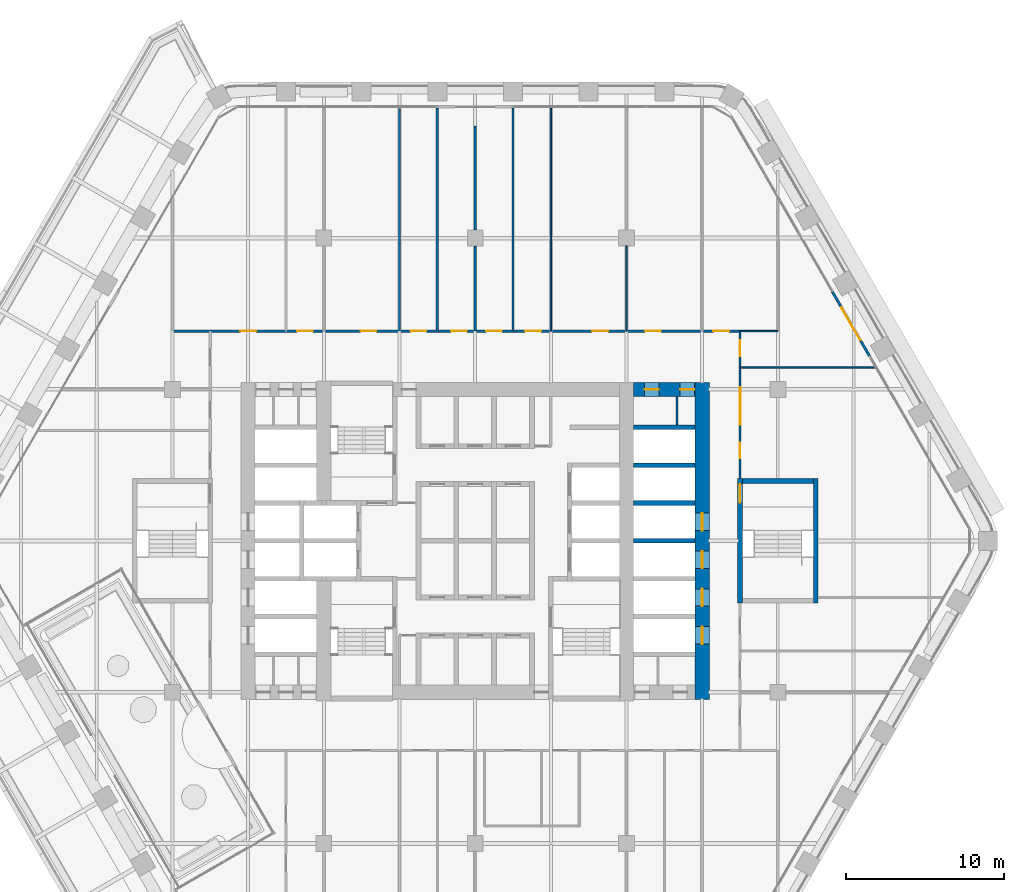
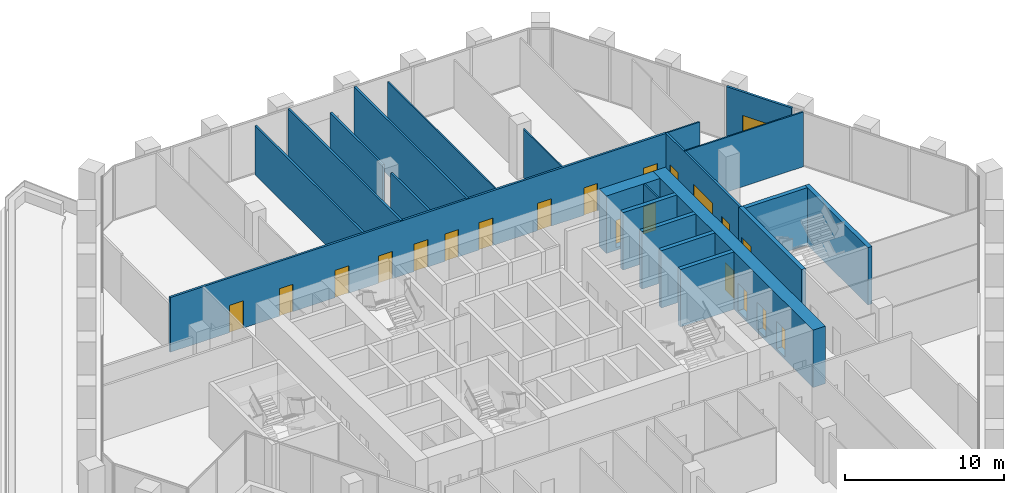
# One storey, part 19 of 27: 22 walls, 20 doors, 1 window, 21 openings.
"""IFC4 building model written with IfcOpenShell, lengths in metres."""

from ifc_helpers import new_model, si_unit, direction, frame, frame_2d, origin, place, context, subcontext, project, spatial, rectangle, extrude, material, layer, layer_set, type_object, element, fill, save


model = new_model("IFC4")

# Units and contexts
model_context = context("Model", 3, precision=1e-05, world=origin(), true_north=direction((0.0, 1.0)))
body_context = subcontext(model_context, "Body", "Model", "MODEL_VIEW")
ifc_project = project(units=[si_unit("LENGTHUNIT", "METRE"), si_unit("AREAUNIT", "SQUARE_METRE"), si_unit("VOLUMEUNIT", "CUBIC_METRE"), si_unit("PLANEANGLEUNIT", "RADIAN"), si_unit("MASSUNIT", "GRAM", prefix="KILO")], contexts=[model_context])

# Site, building, storey
site_placement = place(None, origin())
site = spatial("IfcSite", under=ifc_project, at=site_placement, CompositionType="ELEMENT")
building_placement = place(site_placement, origin())
building = spatial("IfcBuilding", under=site, at=building_placement, Name="Kolab Exchange Tower", CompositionType="ELEMENT")
storey_placement = place(building_placement, frame((0.0, 0.0, 122.89990234375)))
storey = spatial("IfcBuildingStorey", under=building, at=storey_placement, Name="L24", CompositionType="ELEMENT", Elevation=122.89990234375)

# Wall, openings, doors
ifc_material_1 = material(Name="Concrete C70/85", Category="concrete")
ifc_layer_1 = layer(ifc_material_1, 0.89990234375)
ifc_layer_set_1 = layer_set([ifc_layer_1], Name="Concrete C70/85")
wall_type_1 = type_object("IfcWallType", Name="CORE WALL 900 C70/85", PredefinedType="SHEAR", material=ifc_layer_set_1)
wall_1_placement = place(storey_placement, frame((10.050048828125, 9.60009765625, -0.199951171875), z_axis=(0.0, 0.0, 1.0), x_axis=(1.0, 0.0, 0.0)))
wall_1 = element("IfcWall", 1, at=wall_1_placement, inside=storey, type_object=wall_type_1, Name="wall/L24/core/053", PredefinedType="SHEAR", context=body_context, shape_type="SweptSolid", body=[
    extrude(rectangle(XDim=3.89990234375, YDim=0.89990234375, at=frame_2d((1.949951171875, 0.0))), origin(), (0.0, 0.0, 1.0), 4.400146484375),
])
opening_1_placement = place(wall_1_placement, frame((0.699951171875, 0.0, 0.199951171875)))
opening_1 = element("IfcOpeningElement", 2, at=opening_1_placement, cuts=wall_1, Name="Opening D6-259", PredefinedType="OPENING", context=body_context, shape_type="SweptSolid", body=[
    extrude(rectangle(XDim=0.89990234375, YDim=2.10009765625, at=frame_2d((0.449951171875, 1.050048828125))), frame((0.0, 0.4599609375, 0.0), z_axis=(0.0, -1.0, 0.0), x_axis=(1.0, 0.0, 0.0)), (0.0, 0.0, 1.0), 0.919921875),
])
opening_2_placement = place(wall_1_placement, frame((2.949951171875, 0.0, 0.199951171875)))
opening_2 = element("IfcOpeningElement", 3, at=opening_2_placement, cuts=wall_1, Name="Opening D6-260", PredefinedType="OPENING", context=body_context, shape_type="SweptSolid", body=[
    extrude(rectangle(XDim=0.89990234375, YDim=2.10009765625, at=frame_2d((0.449951171875, 1.050048828125))), frame((0.0, 0.4599609375, 0.0), z_axis=(0.0, -1.0, 0.0), x_axis=(1.0, 0.0, 0.0)), (0.0, 0.0, 1.0), 0.919921875),
])
ifc_material_2 = material(Name="Steel S235", Category="steel")
door_type_1 = type_object("IfcDoorType", Name="CORE DOOR 900 EI 120", OperationType="SINGLE_SWING_LEFT", PredefinedType="DOOR", material=ifc_material_2)
door_1_placement = place(opening_1_placement, frame((0.89990234375, 0.0, 0.0), z_axis=(0.0, 0.0, 1.0), x_axis=(-1.0, 0.0, 0.0)))
door_1 = element("IfcDoor", 4, at=door_1_placement, inside=storey, type_object=door_type_1, Name="Service room door", OperationType="SINGLE_SWING_RIGHT", OverallHeight=2.10009765625, OverallWidth=0.89990234375, PredefinedType="DOOR", context=body_context, shape_type="SweptSolid", body=[
    extrude(rectangle(XDim=0.89990234375, YDim=2.10009765625, at=frame_2d((0.449951171875, 1.050048828125))), frame((0.0, 0.02490234375, 0.0), z_axis=(0.0, -1.0, 0.0), x_axis=(1.0, 0.0, 0.0)), (0.0, 0.0, 1.0), 0.050048828125),
])
fill(opening_1, door_1)
door_2_placement = place(opening_2_placement, frame((0.89990234375, 0.0, 0.0), z_axis=(0.0, 0.0, 1.0), x_axis=(-1.0, 0.0, 0.0)))
door_2 = element("IfcDoor", 5, at=door_2_placement, inside=storey, type_object=door_type_1, Name="Service room door", OperationType="SINGLE_SWING_LEFT", OverallHeight=2.10009765625, OverallWidth=0.89990234375, PredefinedType="DOOR", context=body_context, shape_type="SweptSolid", body=[
    extrude(rectangle(XDim=0.89990234375, YDim=2.10009765625, at=frame_2d((0.449951171875, 1.050048828125))), frame((0.0, 0.02490234375, 0.0), z_axis=(0.0, -1.0, 0.0), x_axis=(1.0, 0.0, 0.0)), (0.0, 0.0, 1.0), 0.050048828125),
])
fill(opening_2, door_2)

wall_2_placement = place(storey_placement, frame((14.39990234375, -10.050048828125, -0.199951171875), z_axis=(0.0, 0.0, 1.0), x_axis=(0.0, 1.0, 0.0)))
wall_2 = element("IfcWall", 6, at=wall_2_placement, inside=storey, type_object=wall_type_1, Name="wall/L24/core/081", PredefinedType="SHEAR", context=body_context, shape_type="SweptSolid", body=[
    extrude(rectangle(XDim=20.10009765625, YDim=0.89990234375, at=frame_2d((10.050048828125, 0.0))), origin(), (0.0, 0.0, 1.0), 4.400146484375),
])
opening_3_placement = place(wall_2_placement, frame((3.5, 0.0, 0.199951171875)))
opening_3 = element("IfcOpeningElement", 7, at=opening_3_placement, cuts=wall_2, Name="Opening LD1-077", PredefinedType="OPENING", context=body_context, shape_type="SweptSolid", body=[
    extrude(rectangle(XDim=1.10009765625, YDim=2.10009765625, at=frame_2d((0.550048828125, 1.050048828125))), frame((0.0, 0.4599609375, 0.0), z_axis=(0.0, -1.0, 0.0), x_axis=(1.0, 0.0, 0.0)), (0.0, 0.0, 1.0), 0.919921875),
])
opening_4_placement = place(wall_2_placement, frame((5.89990234375, 0.0, 0.199951171875)))
opening_4 = element("IfcOpeningElement", 8, at=opening_4_placement, cuts=wall_2, Name="Opening LD1-078", PredefinedType="OPENING", context=body_context, shape_type="SweptSolid", body=[
    extrude(rectangle(XDim=1.10009765625, YDim=2.10009765625, at=frame_2d((0.550048828125, 1.050048828125))), frame((0.0, 0.4599609375, 0.0), z_axis=(0.0, -1.0, 0.0), x_axis=(1.0, 0.0, 0.0)), (0.0, 0.0, 1.0), 0.919921875),
])
opening_5_placement = place(wall_2_placement, frame((8.300048828125, 0.0, 0.199951171875)))
opening_5 = element("IfcOpeningElement", 9, at=opening_5_placement, cuts=wall_2, Name="Opening LD1-079", PredefinedType="OPENING", context=body_context, shape_type="SweptSolid", body=[
    extrude(rectangle(XDim=1.10009765625, YDim=2.10009765625, at=frame_2d((0.550048828125, 1.050048828125))), frame((0.0, 0.4599609375, 0.0), z_axis=(0.0, -1.0, 0.0), x_axis=(1.0, 0.0, 0.0)), (0.0, 0.0, 1.0), 0.919921875),
])
opening_6_placement = place(wall_2_placement, frame((10.699951171875, 0.0, 0.199951171875)))
opening_6 = element("IfcOpeningElement", 10, at=opening_6_placement, cuts=wall_2, Name="Opening LD1-080", PredefinedType="OPENING", context=body_context, shape_type="SweptSolid", body=[
    extrude(rectangle(XDim=1.10009765625, YDim=2.10009765625, at=frame_2d((0.550048828125, 1.050048828125))), frame((0.0, 0.4599609375, 0.0), z_axis=(0.0, -1.0, 0.0), x_axis=(1.0, 0.0, 0.0)), (0.0, 0.0, 1.0), 0.919921875),
])
ifc_material_3 = material(Name="Stainless steel 316", Category="steel")
door_type_2 = type_object("IfcDoorType", Name="LANDING DOOR 1100 PASSENGER", OperationType="DOUBLE_DOOR_SLIDING", PredefinedType="DOOR", material=ifc_material_3)
door_3_placement = place(opening_3_placement, origin())
door_3 = element("IfcDoor", 11, at=door_3_placement, inside=storey, type_object=door_type_2, Name="Landing door LR1", OperationType="DOUBLE_DOOR_SLIDING", OverallHeight=2.10009765625, OverallWidth=1.10009765625, PredefinedType="DOOR", context=body_context, shape_type="SweptSolid", body=[
    extrude(rectangle(XDim=1.10009765625, YDim=2.10009765625, at=frame_2d((0.550048828125, 1.050048828125))), frame((0.0, 0.02490234375, 0.0), z_axis=(0.0, -1.0, 0.0), x_axis=(1.0, 0.0, 0.0)), (0.0, 0.0, 1.0), 0.050048828125),
])
fill(opening_3, door_3)
door_4_placement = place(opening_4_placement, origin())
door_4 = element("IfcDoor", 12, at=door_4_placement, inside=storey, type_object=door_type_2, Name="Landing door LR2", OperationType="DOUBLE_DOOR_SLIDING", OverallHeight=2.10009765625, OverallWidth=1.10009765625, PredefinedType="DOOR", context=body_context, shape_type="SweptSolid", body=[
    extrude(rectangle(XDim=1.10009765625, YDim=2.10009765625, at=frame_2d((0.550048828125, 1.050048828125))), frame((0.0, 0.02490234375, 0.0), z_axis=(0.0, -1.0, 0.0), x_axis=(1.0, 0.0, 0.0)), (0.0, 0.0, 1.0), 0.050048828125),
])
fill(opening_4, door_4)
door_5_placement = place(opening_5_placement, origin())
door_5 = element("IfcDoor", 13, at=door_5_placement, inside=storey, type_object=door_type_2, Name="Landing door LR3", OperationType="DOUBLE_DOOR_SLIDING", OverallHeight=2.10009765625, OverallWidth=1.10009765625, PredefinedType="DOOR", context=body_context, shape_type="SweptSolid", body=[
    extrude(rectangle(XDim=1.10009765625, YDim=2.10009765625, at=frame_2d((0.550048828125, 1.050048828125))), frame((0.0, 0.02490234375, 0.0), z_axis=(0.0, -1.0, 0.0), x_axis=(1.0, 0.0, 0.0)), (0.0, 0.0, 1.0), 0.050048828125),
])
fill(opening_5, door_5)
door_6_placement = place(opening_6_placement, origin())
door_6 = element("IfcDoor", 14, at=door_6_placement, inside=storey, type_object=door_type_2, Name="Landing door LR4", OperationType="DOUBLE_DOOR_SLIDING", OverallHeight=2.10009765625, OverallWidth=1.10009765625, PredefinedType="DOOR", context=body_context, shape_type="SweptSolid", body=[
    extrude(rectangle(XDim=1.10009765625, YDim=2.10009765625, at=frame_2d((0.550048828125, 1.050048828125))), frame((0.0, 0.02490234375, 0.0), z_axis=(0.0, -1.0, 0.0), x_axis=(1.0, 0.0, 0.0)), (0.0, 0.0, 1.0), 0.050048828125),
])
fill(opening_6, door_6)

# Wall, opening, door
ifc_material_4 = material(Name="Aluminium EN AW-6063 T6", Category="aluminium")
ifc_layer_2 = layer(ifc_material_4, 0.159912109375)
ifc_layer_set_2 = layer_set([ifc_layer_2], Name="Aluminium EN AW-6063 T6")
wall_type_2 = type_object("IfcWallType", Name="DOOR SURROUND WALL 160 ALUMINIUM FRAMED", PredefinedType="PARTITIONING", material=ifc_layer_set_2)
wall_3_placement = place(storey_placement, frame((22.646728515625, 15.811767578125, 0.0), z_axis=(0.0, 0.0, 1.0), x_axis=(0.499978080042, -0.866038058908, 0.0)))
wall_3 = element("IfcWall", 15, at=wall_3_placement, inside=storey, type_object=wall_type_2, Name="Door surround wall", PredefinedType="PARTITIONING", context=body_context, shape_type="SweptSolid", body=[
    extrude(rectangle(XDim=4.739990234375, YDim=0.159912109375, at=frame_2d((2.3701171875, 0.0))), origin(), (0.0, 0.0, 1.0), 4.2001953125),
])
opening_7_placement = place(wall_3_placement, frame((1.169921875, 0.0, 0.0)))
opening_7 = element("IfcOpeningElement", 16, at=opening_7_placement, cuts=wall_3, Name="Opening GD1-044", PredefinedType="OPENING", context=body_context, shape_type="SweptSolid", body=[
    extrude(rectangle(XDim=2.39990234375, YDim=2.39990234375, at=frame_2d((1.199951171875, 1.199951171875))), frame((0.0, 0.08984375, 0.0), z_axis=(0.0, -1.0, 0.0), x_axis=(1.0, 0.0, 0.0)), (0.0, 0.0, 1.0), 0.179931640625),
])
door_type_3 = type_object("IfcDoorType", Name="LOGGIA SLIDING GLASS DOOR 2400 X 2400", OperationType="DOUBLE_DOOR_SINGLE_SWING", PredefinedType="DOOR", material=ifc_material_4)
door_7_placement = place(opening_7_placement, origin())
door_7 = element("IfcDoor", 17, at=door_7_placement, inside=storey, type_object=door_type_3, Name="Loggia door", OperationType="DOUBLE_DOOR_SLIDING", OverallHeight=2.39990234375, OverallWidth=2.39990234375, PredefinedType="DOOR", context=body_context, shape_type="SweptSolid", body=[
    extrude(rectangle(XDim=2.39990234375, YDim=2.39990234375, at=frame_2d((1.199951171875, 1.199951171875))), frame((0.0, 0.02490234375, 0.0), z_axis=(0.0, -1.0, 0.0), x_axis=(1.0, 0.0, 0.0)), (0.0, 0.0, 1.0), 0.050048828125),
])
fill(opening_7, door_7)

# Walls
ifc_material_5 = material(Name="Concrete C50/60", Category="concrete")
ifc_layer_3 = layer(ifc_material_5, 0.300048828125)
ifc_layer_set_3 = layer_set([ifc_layer_3], Name="Concrete C50/60")
wall_type_3 = type_object("IfcWallType", Name="LIFT SHAFT WALL 300 C50/60", PredefinedType="STANDARD", material=ifc_layer_set_3)
for number, where, z_axis, x_axis, name in (
    (18, (10.050048828125, 0.0, -0.199951171875), (0.0, 0.0, 1.0), (1.0, 0.0, 0.0), "wall/L24/core/030"),
    (19, (10.050048828125, 2.39990234375, -0.199951171875), (0.0, 0.0, 1.0), (1.0, 0.0, 0.0), "wall/L24/core/036"),
    (20, (10.050048828125, 4.800048828125, -0.199951171875), (0.0, 0.0, 1.0), (1.0, 0.0, 0.0), "wall/L24/core/044"),
    (21, (10.050048828125, 7.199951171875, -0.199951171875), (0.0, 0.0, 1.0), (1.0, 0.0, 0.0), "wall/L24/core/050"),
):
    element("IfcWall", number, at=place(storey_placement, frame(where, z_axis=z_axis, x_axis=x_axis)), inside=storey, type_object=wall_type_3, Name=name, PredefinedType="STANDARD", context=body_context, shape_type="SweptSolid", body=[
        extrude(rectangle(XDim=3.89990234375, YDim=0.300048828125, at=frame_2d((1.949951171875, 0.0))), origin(), (0.0, 0.0, 1.0), 4.400146484375),
    ])
ifc_material_6 = material(Name="Gypsum board", Category="gypsum")
ifc_layer_4 = layer(ifc_material_6, 0.10009765625)
ifc_layer_set_4 = layer_set([ifc_layer_4], Name="Gypsum board")
wall_type_4 = type_object("IfcWallType", Name="PARTITION 100", PredefinedType="PARTITIONING", material=ifc_layer_set_4)
wall_4_placement = place(storey_placement, frame((12.800048828125, 7.35009765625, 0.0), z_axis=(0.0, 0.0, 1.0), x_axis=(0.0, 1.0, 0.0)))
element("IfcWall", 22, at=wall_4_placement, inside=storey, type_object=wall_type_4, Name="Partition 006", PredefinedType="PARTITIONING", context=body_context, shape_type="SweptSolid", body=[
    extrude(rectangle(XDim=1.7998046875, YDim=0.10009765625, at=frame_2d((0.89990234375, 0.0))), origin(), (0.0, 0.0, 1.0), 4.2001953125),
])
wall_5_placement = place(storey_placement, frame((9.60009765625, 13.300048828125, 0.0), z_axis=(0.0, 0.0, 1.0), x_axis=(0.0, 1.0, 0.0)))
element("IfcWall", 23, at=wall_5_placement, inside=storey, type_object=wall_type_4, Name="Partition 011", PredefinedType="PARTITIONING", context=body_context, shape_type="SweptSolid", body=[
    extrude(rectangle(XDim=5.39990234375, YDim=0.10009765625, at=frame_2d((2.699951171875, 0.0))), origin(), (0.0, 0.0, 1.0), 3.7431640625),
])
wall_6_placement = place(storey_placement, frame((4.800048828125, 13.300048828125, 0.0), z_axis=(0.0, 0.0, 1.0), x_axis=(0.0, 1.0, 0.0)))
element("IfcWall", 24, at=wall_6_placement, inside=storey, type_object=wall_type_4, Name="Partition 014", PredefinedType="PARTITIONING", context=body_context, shape_type="SweptSolid", body=[
    extrude(rectangle(XDim=14.12841796875, YDim=0.10009765625, at=frame_2d((7.064208984375, 0.0))), origin(), (0.0, 0.0, 1.0), 3.7431640625),
])
wall_7_placement = place(storey_placement, frame((16.800048828125, 11.0, 0.0), z_axis=(0.0, 0.0, 1.0), x_axis=(1.0, 0.0, 0.0)))
element("IfcWall", 25, at=wall_7_placement, inside=storey, type_object=wall_type_4, Name="Partition 052", PredefinedType="PARTITIONING", context=body_context, shape_type="SweptSolid", body=[
    extrude(rectangle(XDim=8.578369140625, YDim=0.10009765625, at=frame_2d((4.2890625, 0.0))), origin(), (0.0, 0.0, 1.0), 4.2001953125),
])
wall_8_placement = place(storey_placement, frame((16.800048828125, 13.300048828125, 0.0), z_axis=(0.0, 0.0, 1.0), x_axis=(1.0, 0.0, 0.0)))
element("IfcWall", 26, at=wall_8_placement, inside=storey, type_object=wall_type_4, Name="Partition 053", PredefinedType="PARTITIONING", context=body_context, shape_type="SweptSolid", body=[
    extrude(rectangle(XDim=2.39990234375, YDim=0.10009765625, at=frame_2d((1.199951171875, 0.0))), origin(), (0.0, 0.0, 1.0), 4.2001953125),
])

# Wall, openings, doors, window
ifc_layer_5 = layer(ifc_material_6, 0.14990234375)
ifc_layer_set_5 = layer_set([ifc_layer_5], Name="Gypsum board")
wall_type_5 = type_object("IfcWallType", Name="PARTITION 150 FIRE-RATED", PredefinedType="PARTITIONING", material=ifc_layer_set_5)
wall_9_placement = place(storey_placement, frame((16.800048828125, 3.949951171875, 0.0), z_axis=(0.0, 0.0, 1.0), x_axis=(0.0, 1.0, 0.0)))
wall_9 = element("IfcWall", 27, at=wall_9_placement, inside=storey, type_object=wall_type_5, Name="Partition 003", PredefinedType="PARTITIONING", context=body_context, shape_type="SweptSolid", body=[
    extrude(rectangle(XDim=9.35009765625, YDim=0.14990234375, at=frame_2d((4.675048828125, 0.0))), origin(), (0.0, 0.0, 1.0), 4.2001953125),
])
opening_8_placement = place(wall_9_placement, frame((1.27490234375, 0.0, 0.0)))
opening_8 = element("IfcOpeningElement", 28, at=opening_8_placement, cuts=wall_9, Name="Opening D1-352", PredefinedType="OPENING", context=body_context, shape_type="SweptSolid", body=[
    extrude(rectangle(XDim=1.0, YDim=2.10009765625, at=frame_2d((0.5, 1.050048828125))), frame((0.0, 0.0849609375, 0.0), z_axis=(0.0, -1.0, 0.0), x_axis=(1.0, 0.0, 0.0)), (0.0, 0.0, 1.0), 0.169921875),
])
opening_9_placement = place(wall_9_placement, frame((7.760009765625, 0.0, 0.0)))
opening_9 = element("IfcOpeningElement", 29, at=opening_9_placement, cuts=wall_9, Name="Opening D1-353", PredefinedType="OPENING", context=body_context, shape_type="SweptSolid", body=[
    extrude(rectangle(XDim=1.0, YDim=2.10009765625, at=frame_2d((0.5, 1.050048828125))), frame((0.0, 0.0849609375, 0.0), z_axis=(0.0, -1.0, 0.0), x_axis=(1.0, 0.0, 0.0)), (0.0, 0.0, 1.0), 0.169921875),
])
opening_10_placement = place(wall_9_placement, frame((3.39990234375, 0.0, 0.89990234375)))
opening_10 = element("IfcOpeningElement", 30, at=opening_10_placement, cuts=wall_9, Name="Opening W2-005", PredefinedType="OPENING", context=body_context, shape_type="SweptSolid", body=[
    extrude(rectangle(XDim=2.39990234375, YDim=1.5, at=frame_2d((1.199951171875, 0.75))), frame((0.0, 0.0849609375, 0.0), z_axis=(0.0, -1.0, 0.0), x_axis=(1.0, 0.0, 0.0)), (0.0, 0.0, 1.0), 0.169921875),
])
door_type_4 = type_object("IfcDoorType", Name="FLUSH DOOR 1000 FD60", OperationType="SINGLE_SWING_LEFT", PredefinedType="DOOR", material=ifc_material_2)
door_8_placement = place(opening_8_placement, frame((1.0, 0.0, 0.0), z_axis=(0.0, 0.0, 1.0), x_axis=(-1.0, 0.0, 0.0)))
door_8 = element("IfcDoor", 31, at=door_8_placement, inside=storey, type_object=door_type_4, Name="Door L24-073", OperationType="SINGLE_SWING_LEFT", OverallHeight=2.10009765625, OverallWidth=1.0, PredefinedType="DOOR", context=body_context, shape_type="SweptSolid", body=[
    extrude(rectangle(XDim=1.0, YDim=2.10009765625, at=frame_2d((0.5, 1.050048828125))), frame((0.0, 0.02490234375, 0.0), z_axis=(0.0, -1.0, 0.0), x_axis=(1.0, 0.0, 0.0)), (0.0, 0.0, 1.0), 0.050048828125),
])
fill(opening_8, door_8)
door_9_placement = place(opening_9_placement, frame((1.0, 0.0, 0.0), z_axis=(0.0, 0.0, 1.0), x_axis=(-1.0, 0.0, 0.0)))
door_9 = element("IfcDoor", 32, at=door_9_placement, inside=storey, type_object=door_type_4, Name="Door L24-074", OperationType="SINGLE_SWING_RIGHT", OverallHeight=2.10009765625, OverallWidth=1.0, PredefinedType="DOOR", context=body_context, shape_type="SweptSolid", body=[
    extrude(rectangle(XDim=1.0, YDim=2.10009765625, at=frame_2d((0.5, 1.050048828125))), frame((0.0, 0.02490234375, 0.0), z_axis=(0.0, -1.0, 0.0), x_axis=(1.0, 0.0, 0.0)), (0.0, 0.0, 1.0), 0.050048828125),
])
fill(opening_9, door_9)
ifc_material_7 = material(Name="Fire-rated glazing", Category="glass")
window_type = type_object("IfcWindowType", Name="VIEWING WINDOW 2400 X 1500 EI 60", PartitioningType="SINGLE_PANEL", PredefinedType="WINDOW", material=ifc_material_7)
window_placement = place(opening_10_placement, origin())
window = element("IfcWindow", 33, at=window_placement, inside=storey, type_object=window_type, Name="Viewing window L24-1", OverallHeight=1.5, OverallWidth=2.39990234375, PartitioningType="SINGLE_PANEL", PredefinedType="WINDOW", context=body_context, shape_type="SweptSolid", body=[
    extrude(rectangle(XDim=2.39990234375, YDim=1.5, at=frame_2d((1.199951171875, 0.75))), frame((0.0, 0.030029296875, 0.0), z_axis=(0.0, -1.0, 0.0), x_axis=(1.0, 0.0, 0.0)), (0.0, 0.0, 1.0), 0.06005859375),
])
fill(opening_10, window)

# Walls
wall_10_placement = place(storey_placement, frame((2.39990234375, 13.300048828125, 0.0), z_axis=(0.0, 0.0, 1.0), x_axis=(0.0, 1.0, 0.0)))
element("IfcWall", 34, at=wall_10_placement, inside=storey, type_object=wall_type_5, Name="Partition 017", PredefinedType="PARTITIONING", context=body_context, shape_type="SweptSolid", body=[
    extrude(rectangle(XDim=14.138427734375, YDim=0.14990234375, at=frame_2d((7.0693359375, 0.0))), origin(), (0.0, 0.0, 1.0), 4.2001953125),
])
wall_11_placement = place(storey_placement, frame((0.0, 13.300048828125, 0.0), z_axis=(0.0, 0.0, 1.0), x_axis=(0.0, 1.0, 0.0)))
element("IfcWall", 35, at=wall_11_placement, inside=storey, type_object=wall_type_5, Name="Partition 021", PredefinedType="PARTITIONING", context=body_context, shape_type="SweptSolid", body=[
    extrude(rectangle(XDim=5.39990234375, YDim=0.14990234375, at=frame_2d((2.699951171875, 0.0))), origin(), (0.0, 0.0, 1.0), 3.7431640625),
])
wall_12_placement = place(storey_placement, frame((0.0, 19.699951171875, 0.0), z_axis=(0.0, 0.0, 1.0), x_axis=(0.0, 1.0, 0.0)))
element("IfcWall", 36, at=wall_12_placement, inside=storey, type_object=wall_type_5, Name="Partition 022", PredefinedType="PARTITIONING", context=body_context, shape_type="SweptSolid", body=[
    extrude(rectangle(XDim=6.61865234375, YDim=0.14990234375, at=frame_2d((3.309326171875, 0.0))), origin(), (0.0, 0.0, 1.0), 3.7431640625),
])
wall_13_placement = place(storey_placement, frame((-2.39990234375, 13.300048828125, 0.0), z_axis=(0.0, 0.0, 1.0), x_axis=(0.0, 1.0, 0.0)))
element("IfcWall", 37, at=wall_13_placement, inside=storey, type_object=wall_type_5, Name="Partition 024", PredefinedType="PARTITIONING", context=body_context, shape_type="SweptSolid", body=[
    extrude(rectangle(XDim=14.138427734375, YDim=0.14990234375, at=frame_2d((7.0693359375, 0.0))), origin(), (0.0, 0.0, 1.0), 4.2001953125),
])
wall_14_placement = place(storey_placement, frame((-4.800048828125, 13.300048828125, 0.0), z_axis=(0.0, 0.0, 1.0), x_axis=(0.0, 1.0, 0.0)))
element("IfcWall", 38, at=wall_14_placement, inside=storey, type_object=wall_type_5, Name="Partition 027", PredefinedType="PARTITIONING", context=body_context, shape_type="SweptSolid", body=[
    extrude(rectangle(XDim=14.12841796875, YDim=0.14990234375, at=frame_2d((7.064208984375, 0.0))), origin(), (0.0, 0.0, 1.0), 3.7431640625),
])

# Wall, openings, doors
wall_15_placement = place(storey_placement, frame((-19.199951171875, 13.300048828125, 0.0), z_axis=(0.0, 0.0, 1.0), x_axis=(1.0, 0.0, 0.0)))
wall_15 = element("IfcWall", 39, at=wall_15_placement, inside=storey, type_object=wall_type_5, Name="Partition 054", PredefinedType="PARTITIONING", context=body_context, shape_type="SweptSolid", body=[
    extrude(rectangle(XDim=36.0, YDim=0.14990234375, at=frame_2d((18.0, 0.0))), origin(), (0.0, 0.0, 1.0), 4.2001953125),
])
opening_11_placement = place(wall_15_placement, frame((4.300048828125, 0.0, 0.0)))
opening_11 = element("IfcOpeningElement", 40, at=opening_11_placement, cuts=wall_15, Name="Opening D1-330", PredefinedType="OPENING", context=body_context, shape_type="SweptSolid", body=[
    extrude(rectangle(XDim=1.0, YDim=2.10009765625, at=frame_2d((0.5, 1.050048828125))), frame((0.0, 0.0849609375, 0.0), z_axis=(0.0, -1.0, 0.0), x_axis=(1.0, 0.0, 0.0)), (0.0, 0.0, 1.0), 0.169921875),
])
opening_12_placement = place(wall_15_placement, frame((7.89990234375, 0.0, 0.0)))
opening_12 = element("IfcOpeningElement", 41, at=opening_12_placement, cuts=wall_15, Name="Opening D1-331", PredefinedType="OPENING", context=body_context, shape_type="SweptSolid", body=[
    extrude(rectangle(XDim=1.0, YDim=2.10009765625, at=frame_2d((0.5, 1.050048828125))), frame((0.0, 0.0849609375, 0.0), z_axis=(0.0, -1.0, 0.0), x_axis=(1.0, 0.0, 0.0)), (0.0, 0.0, 1.0), 0.169921875),
])
opening_13_placement = place(wall_15_placement, frame((11.93505859375, 0.0, 0.0)))
opening_13 = element("IfcOpeningElement", 42, at=opening_13_placement, cuts=wall_15, Name="Opening D1-332", PredefinedType="OPENING", context=body_context, shape_type="SweptSolid", body=[
    extrude(rectangle(XDim=1.0, YDim=2.10009765625, at=frame_2d((0.5, 1.050048828125))), frame((0.0, 0.0849609375, 0.0), z_axis=(0.0, -1.0, 0.0), x_axis=(1.0, 0.0, 0.0)), (0.0, 0.0, 1.0), 0.169921875),
])
opening_14_placement = place(wall_15_placement, frame((15.10009765625, 0.0, 0.0)))
opening_14 = element("IfcOpeningElement", 43, at=opening_14_placement, cuts=wall_15, Name="Opening D1-333", PredefinedType="OPENING", context=body_context, shape_type="SweptSolid", body=[
    extrude(rectangle(XDim=1.0, YDim=2.10009765625, at=frame_2d((0.5, 1.050048828125))), frame((0.0, 0.0849609375, 0.0), z_axis=(0.0, -1.0, 0.0), x_axis=(1.0, 0.0, 0.0)), (0.0, 0.0, 1.0), 0.169921875),
])
opening_15_placement = place(wall_15_placement, frame((17.675048828125, 0.0, 0.0)))
opening_15 = element("IfcOpeningElement", 44, at=opening_15_placement, cuts=wall_15, Name="Opening D1-334", PredefinedType="OPENING", context=body_context, shape_type="SweptSolid", body=[
    extrude(rectangle(XDim=1.0, YDim=2.10009765625, at=frame_2d((0.5, 1.050048828125))), frame((0.0, 0.0849609375, 0.0), z_axis=(0.0, -1.0, 0.0), x_axis=(1.0, 0.0, 0.0)), (0.0, 0.0, 1.0), 0.169921875),
])
opening_16_placement = place(wall_15_placement, frame((19.89990234375, 0.0, 0.0)))
opening_16 = element("IfcOpeningElement", 45, at=opening_16_placement, cuts=wall_15, Name="Opening D1-335", PredefinedType="OPENING", context=body_context, shape_type="SweptSolid", body=[
    extrude(rectangle(XDim=1.0, YDim=2.10009765625, at=frame_2d((0.5, 1.050048828125))), frame((0.0, 0.0849609375, 0.0), z_axis=(0.0, -1.0, 0.0), x_axis=(1.0, 0.0, 0.0)), (0.0, 0.0, 1.0), 0.169921875),
])
opening_17_placement = place(wall_15_placement, frame((22.375, 0.0, 0.0)))
opening_17 = element("IfcOpeningElement", 46, at=opening_17_placement, cuts=wall_15, Name="Opening D1-336", PredefinedType="OPENING", context=body_context, shape_type="SweptSolid", body=[
    extrude(rectangle(XDim=1.0, YDim=2.10009765625, at=frame_2d((0.5, 1.050048828125))), frame((0.0, 0.0849609375, 0.0), z_axis=(0.0, -1.0, 0.0), x_axis=(1.0, 0.0, 0.0)), (0.0, 0.0, 1.0), 0.169921875),
])
opening_18_placement = place(wall_15_placement, frame((26.625, 0.0, 0.0)))
opening_18 = element("IfcOpeningElement", 47, at=opening_18_placement, cuts=wall_15, Name="Opening D1-337", PredefinedType="OPENING", context=body_context, shape_type="SweptSolid", body=[
    extrude(rectangle(XDim=1.0, YDim=2.10009765625, at=frame_2d((0.5, 1.050048828125))), frame((0.0, 0.0849609375, 0.0), z_axis=(0.0, -1.0, 0.0), x_axis=(1.0, 0.0, 0.0)), (0.0, 0.0, 1.0), 0.169921875),
])
opening_19_placement = place(wall_15_placement, frame((29.97509765625, 0.0, 0.0)))
opening_19 = element("IfcOpeningElement", 48, at=opening_19_placement, cuts=wall_15, Name="Opening D1-338", PredefinedType="OPENING", context=body_context, shape_type="SweptSolid", body=[
    extrude(rectangle(XDim=1.0, YDim=2.10009765625, at=frame_2d((0.5, 1.050048828125))), frame((0.0, 0.0849609375, 0.0), z_axis=(0.0, -1.0, 0.0), x_axis=(1.0, 0.0, 0.0)), (0.0, 0.0, 1.0), 0.169921875),
])
opening_20_placement = place(wall_15_placement, frame((34.300048828125, 0.0, 0.0)))
opening_20 = element("IfcOpeningElement", 49, at=opening_20_placement, cuts=wall_15, Name="Opening D1-339", PredefinedType="OPENING", context=body_context, shape_type="SweptSolid", body=[
    extrude(rectangle(XDim=1.0, YDim=2.10009765625, at=frame_2d((0.5, 1.050048828125))), frame((0.0, 0.0849609375, 0.0), z_axis=(0.0, -1.0, 0.0), x_axis=(1.0, 0.0, 0.0)), (0.0, 0.0, 1.0), 0.169921875),
])
door_10_placement = place(opening_11_placement, origin())
door_10 = element("IfcDoor", 50, at=door_10_placement, inside=storey, type_object=door_type_4, Name="Door L24-051", OperationType="SINGLE_SWING_RIGHT", OverallHeight=2.10009765625, OverallWidth=1.0, PredefinedType="DOOR", context=body_context, shape_type="SweptSolid", body=[
    extrude(rectangle(XDim=1.0, YDim=2.10009765625, at=frame_2d((0.5, 1.050048828125))), frame((0.0, 0.02490234375, 0.0), z_axis=(0.0, -1.0, 0.0), x_axis=(1.0, 0.0, 0.0)), (0.0, 0.0, 1.0), 0.050048828125),
])
fill(opening_11, door_10)
door_11_placement = place(opening_12_placement, origin())
door_11 = element("IfcDoor", 51, at=door_11_placement, inside=storey, type_object=door_type_4, Name="Door L24-052", OperationType="SINGLE_SWING_RIGHT", OverallHeight=2.10009765625, OverallWidth=1.0, PredefinedType="DOOR", context=body_context, shape_type="SweptSolid", body=[
    extrude(rectangle(XDim=1.0, YDim=2.10009765625, at=frame_2d((0.5, 1.050048828125))), frame((0.0, 0.02490234375, 0.0), z_axis=(0.0, -1.0, 0.0), x_axis=(1.0, 0.0, 0.0)), (0.0, 0.0, 1.0), 0.050048828125),
])
fill(opening_12, door_11)
door_12_placement = place(opening_13_placement, origin())
door_12 = element("IfcDoor", 52, at=door_12_placement, inside=storey, type_object=door_type_4, Name="Door L24-053", OperationType="SINGLE_SWING_RIGHT", OverallHeight=2.10009765625, OverallWidth=1.0, PredefinedType="DOOR", context=body_context, shape_type="SweptSolid", body=[
    extrude(rectangle(XDim=1.0, YDim=2.10009765625, at=frame_2d((0.5, 1.050048828125))), frame((0.0, 0.02490234375, 0.0), z_axis=(0.0, -1.0, 0.0), x_axis=(1.0, 0.0, 0.0)), (0.0, 0.0, 1.0), 0.050048828125),
])
fill(opening_13, door_12)
door_13_placement = place(opening_14_placement, origin())
door_13 = element("IfcDoor", 53, at=door_13_placement, inside=storey, type_object=door_type_4, Name="Door L24-054", OperationType="SINGLE_SWING_RIGHT", OverallHeight=2.10009765625, OverallWidth=1.0, PredefinedType="DOOR", context=body_context, shape_type="SweptSolid", body=[
    extrude(rectangle(XDim=1.0, YDim=2.10009765625, at=frame_2d((0.5, 1.050048828125))), frame((0.0, 0.02490234375, 0.0), z_axis=(0.0, -1.0, 0.0), x_axis=(1.0, 0.0, 0.0)), (0.0, 0.0, 1.0), 0.050048828125),
])
fill(opening_14, door_13)
door_14_placement = place(opening_15_placement, origin())
door_14 = element("IfcDoor", 54, at=door_14_placement, inside=storey, type_object=door_type_4, Name="Door L24-055", OperationType="SINGLE_SWING_RIGHT", OverallHeight=2.10009765625, OverallWidth=1.0, PredefinedType="DOOR", context=body_context, shape_type="SweptSolid", body=[
    extrude(rectangle(XDim=1.0, YDim=2.10009765625, at=frame_2d((0.5, 1.050048828125))), frame((0.0, 0.02490234375, 0.0), z_axis=(0.0, -1.0, 0.0), x_axis=(1.0, 0.0, 0.0)), (0.0, 0.0, 1.0), 0.050048828125),
])
fill(opening_15, door_14)
door_15_placement = place(opening_16_placement, origin())
door_15 = element("IfcDoor", 55, at=door_15_placement, inside=storey, type_object=door_type_4, Name="Door L24-056", OperationType="SINGLE_SWING_LEFT", OverallHeight=2.10009765625, OverallWidth=1.0, PredefinedType="DOOR", context=body_context, shape_type="SweptSolid", body=[
    extrude(rectangle(XDim=1.0, YDim=2.10009765625, at=frame_2d((0.5, 1.050048828125))), frame((0.0, 0.02490234375, 0.0), z_axis=(0.0, -1.0, 0.0), x_axis=(1.0, 0.0, 0.0)), (0.0, 0.0, 1.0), 0.050048828125),
])
fill(opening_16, door_15)
door_16_placement = place(opening_17_placement, origin())
door_16 = element("IfcDoor", 56, at=door_16_placement, inside=storey, type_object=door_type_4, Name="Door L24-057", OperationType="SINGLE_SWING_RIGHT", OverallHeight=2.10009765625, OverallWidth=1.0, PredefinedType="DOOR", context=body_context, shape_type="SweptSolid", body=[
    extrude(rectangle(XDim=1.0, YDim=2.10009765625, at=frame_2d((0.5, 1.050048828125))), frame((0.0, 0.02490234375, 0.0), z_axis=(0.0, -1.0, 0.0), x_axis=(1.0, 0.0, 0.0)), (0.0, 0.0, 1.0), 0.050048828125),
])
fill(opening_17, door_16)
door_17_placement = place(opening_18_placement, origin())
door_17 = element("IfcDoor", 57, at=door_17_placement, inside=storey, type_object=door_type_4, Name="Door L24-058", OperationType="SINGLE_SWING_RIGHT", OverallHeight=2.10009765625, OverallWidth=1.0, PredefinedType="DOOR", context=body_context, shape_type="SweptSolid", body=[
    extrude(rectangle(XDim=1.0, YDim=2.10009765625, at=frame_2d((0.5, 1.050048828125))), frame((0.0, 0.02490234375, 0.0), z_axis=(0.0, -1.0, 0.0), x_axis=(1.0, 0.0, 0.0)), (0.0, 0.0, 1.0), 0.050048828125),
])
fill(opening_18, door_17)
door_18_placement = place(opening_19_placement, origin())
door_18 = element("IfcDoor", 58, at=door_18_placement, inside=storey, type_object=door_type_4, Name="Door L24-059", OperationType="SINGLE_SWING_LEFT", OverallHeight=2.10009765625, OverallWidth=1.0, PredefinedType="DOOR", context=body_context, shape_type="SweptSolid", body=[
    extrude(rectangle(XDim=1.0, YDim=2.10009765625, at=frame_2d((0.5, 1.050048828125))), frame((0.0, 0.02490234375, 0.0), z_axis=(0.0, -1.0, 0.0), x_axis=(1.0, 0.0, 0.0)), (0.0, 0.0, 1.0), 0.050048828125),
])
fill(opening_19, door_18)
door_19_placement = place(opening_20_placement, origin())
door_19 = element("IfcDoor", 59, at=door_19_placement, inside=storey, type_object=door_type_4, Name="Door L24-060", OperationType="SINGLE_SWING_LEFT", OverallHeight=2.10009765625, OverallWidth=1.0, PredefinedType="DOOR", context=body_context, shape_type="SweptSolid", body=[
    extrude(rectangle(XDim=1.0, YDim=2.10009765625, at=frame_2d((0.5, 1.050048828125))), frame((0.0, 0.02490234375, 0.0), z_axis=(0.0, -1.0, 0.0), x_axis=(1.0, 0.0, 0.0)), (0.0, 0.0, 1.0), 0.050048828125),
])
fill(opening_20, door_19)

# Wall
ifc_layer_6 = layer(ifc_material_5, 0.300048828125)
ifc_layer_set_6 = layer_set([ifc_layer_6], Name="Concrete C50/60")
wall_type_6 = type_object("IfcWallType", Name="STAIR ENCLOSURE WALL 300 C50/60", PredefinedType="STANDARD", material=ifc_layer_set_6)
wall_16_placement = place(storey_placement, frame((16.949951171875, 3.800048828125, -0.199951171875), z_axis=(0.0, 0.0, 1.0), x_axis=(1.0, 0.0, 0.0)))
element("IfcWall", 60, at=wall_16_placement, inside=storey, type_object=wall_type_6, Name="wall/L24/core/041", PredefinedType="STANDARD", context=body_context, shape_type="SweptSolid", body=[
    extrude(rectangle(XDim=4.5, YDim=0.300048828125, at=frame_2d((2.25, 0.0))), origin(), (0.0, 0.0, 1.0), 4.400146484375),
])

# Wall, opening, door
wall_17_placement = place(storey_placement, frame((16.800048828125, -3.949951171875, -0.199951171875), z_axis=(0.0, 0.0, 1.0), x_axis=(0.0, 1.0, 0.0)))
wall_17 = element("IfcWall", 61, at=wall_17_placement, inside=storey, type_object=wall_type_6, Name="wall/L24/core/082", PredefinedType="STANDARD", context=body_context, shape_type="SweptSolid", body=[
    extrude(rectangle(XDim=7.89990234375, YDim=0.300048828125, at=frame_2d((3.949951171875, 0.0))), origin(), (0.0, 0.0, 1.0), 4.400146484375),
])
opening_21_placement = place(wall_17_placement, frame((6.35009765625, 0.0, 0.199951171875)))
opening_21 = element("IfcOpeningElement", 62, at=opening_21_placement, cuts=wall_17, Name="Opening D4-053", PredefinedType="OPENING", context=body_context, shape_type="SweptSolid", body=[
    extrude(rectangle(XDim=1.199951171875, YDim=2.10009765625, at=frame_2d((0.60009765625, 1.050048828125))), frame((0.0, 0.16015625, 0.0), z_axis=(0.0, -1.0, 0.0), x_axis=(1.0, 0.0, 0.0)), (0.0, 0.0, 1.0), 0.320068359375),
])
door_type_5 = type_object("IfcDoorType", Name="STAIR DOOR 1200 EI 120", OperationType="SINGLE_SWING_LEFT", PredefinedType="DOOR", material=ifc_material_2)
door_20_placement = place(opening_21_placement, frame((1.199951171875, 0.0, 0.0), z_axis=(0.0, 0.0, 1.0), x_axis=(-1.0, 0.0, 0.0)))
door_20 = element("IfcDoor", 63, at=door_20_placement, inside=storey, type_object=door_type_5, Name="Stair 4 door", OperationType="SINGLE_SWING_RIGHT", OverallHeight=2.10009765625, OverallWidth=1.199951171875, PredefinedType="DOOR", context=body_context, shape_type="SweptSolid", body=[
    extrude(rectangle(XDim=1.199951171875, YDim=2.10009765625, at=frame_2d((0.60009765625, 1.050048828125))), frame((0.0, 0.02490234375, 0.0), z_axis=(0.0, -1.0, 0.0), x_axis=(1.0, 0.0, 0.0)), (0.0, 0.0, 1.0), 0.050048828125),
])
fill(opening_21, door_20)

# Wall
wall_18_placement = place(storey_placement, frame((21.60009765625, -3.949951171875, -0.199951171875), z_axis=(0.0, 0.0, 1.0), x_axis=(0.0, 1.0, 0.0)))
element("IfcWall", 64, at=wall_18_placement, inside=storey, type_object=wall_type_6, Name="wall/L24/core/083", PredefinedType="STANDARD", context=body_context, shape_type="SweptSolid", body=[
    extrude(rectangle(XDim=7.89990234375, YDim=0.300048828125, at=frame_2d((3.949951171875, 0.0))), origin(), (0.0, 0.0, 1.0), 4.400146484375),
])

save(model, "model.ifc")
